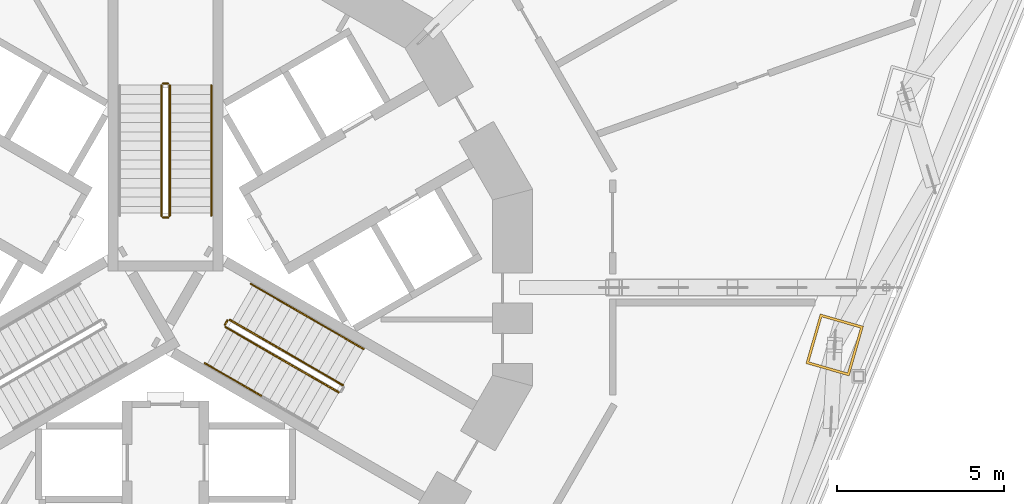
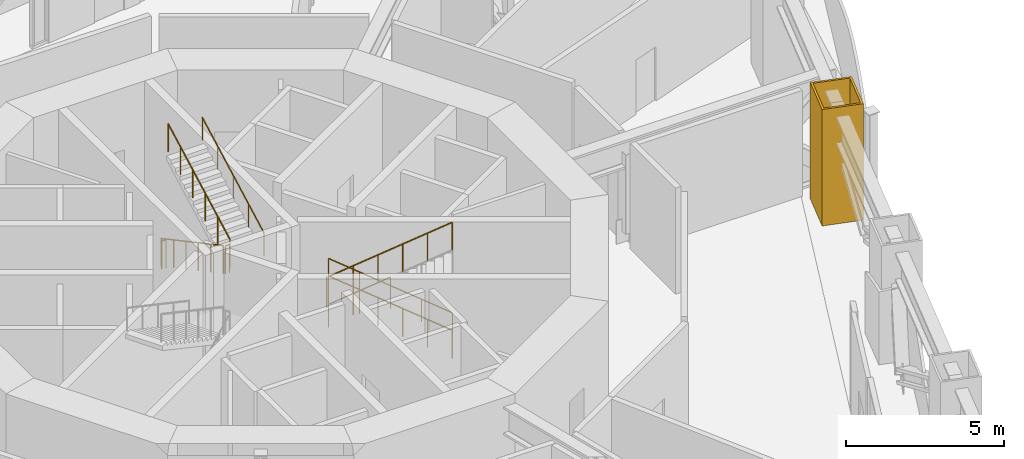
# One storey, part 30 of 31: 11 railings, 1 covering.
"""IFC4 building model written with IfcOpenShell, lengths in metres."""

from ifc_helpers import new_model, si_unit, direction, frame, origin, origin_2d, place, context, subcontext, project, spatial, polyline, circle, outline, extrude, material, layer, layer_set, type_object, element, save


model = new_model("IFC4")

# Units and contexts
model_context = context("Model", 3, precision=1e-05, world=origin(), true_north=direction((0.0, 1.0)))
body_context = subcontext(model_context, "Body", "Model", "MODEL_VIEW")
ifc_project = project(units=[si_unit("LENGTHUNIT", "METRE"), si_unit("AREAUNIT", "SQUARE_METRE"), si_unit("VOLUMEUNIT", "CUBIC_METRE"), si_unit("PLANEANGLEUNIT", "RADIAN"), si_unit("MASSUNIT", "GRAM", prefix="KILO")], contexts=[model_context])

# Site, building, storey
site_placement = place(None, origin())
site = spatial("IfcSite", under=ifc_project, at=site_placement, CompositionType="ELEMENT")
building_placement = place(site_placement, origin())
building = spatial("IfcBuilding", under=site, at=building_placement, Name="Trine Commons Tower", CompositionType="ELEMENT")
storey_placement = place(building_placement, frame((0.0, 0.0, 82.800048828125)))
storey = spatial("IfcBuildingStorey", under=building, at=storey_placement, Name="L20", CompositionType="ELEMENT", Elevation=82.800048828125)

# Covering
ifc_material_1 = material(Name="Limestone, honed", Category="masonry")
ifc_layer = layer(ifc_material_1, 0.074951171875)
ifc_layer_set = layer_set([ifc_layer], Name="Limestone, honed")
covering_type = type_object("IfcCoveringType", Name="Limestone column cladding 75", PredefinedType="CLADDING", material=ifc_layer_set)
covering_placement = place(storey_placement, origin())
element("IfcCovering", 1, at=covering_placement, inside=storey, type_object=covering_type, Name="Limestone pier cladding 3-20", PredefinedType="CLADDING", context=body_context, shape_type="SweptSolid", body=[
    extrude(outline(polyline([(100.934814453125, 61.33837890625), (99.63720703125, 61.71044921875), (99.209716796875, 60.220703125), (100.507568359375, 59.848388671875), (100.934814453125, 61.33837890625)]), holes=[polyline([(100.842041015625, 61.287109375), (99.6884765625, 61.617919921875), (99.302490234375, 60.27197265625), (100.4560546875, 59.941162109375), (100.842041015625, 61.287109375)])]), origin(), (0.0, 0.0, 1.0), 4.5),
])

# Railings
ifc_material_2 = material(Name="Stainless steel balustrade", Category="steel")
railing_type_1 = type_object("IfcRailingType", Name="Stair guard, steel balustrade 1100", PredefinedType="GUARDRAIL", material=ifc_material_2)
railing_1_placement = place(storey_placement, frame((79.875, 68.570556640625, 0.14990234375)))
element("IfcRailing", 2, at=railing_1_placement, inside=storey, type_object=railing_type_1, Name="L20 ST1A stair guard 1", PredefinedType="GUARDRAIL", context=body_context, shape_type="SweptSolid", body=[
    extrude(circle(Radius=0.02392578125, at=origin_2d()), frame((0.0, 0.0, 1.076171875), z_axis=(0.0, -0.881466911329, 0.472245787945), x_axis=(1.0, 0.0, 0.0)), (0.0, 0.0, 1.0), 4.447021484375),
    extrude(circle(Radius=0.02099609375, at=origin_2d()), origin(), (0.0, 0.0, 1.0), 1.052001953125),
    extrude(circle(Radius=0.02099609375, at=origin_2d()), frame((0.0, -0.783935546875, 0.419921875)), (0.0, 0.0, 1.0), 1.052001953125),
    extrude(circle(Radius=0.02099609375, at=origin_2d()), frame((0.0, -1.56787109375, 0.840087890625)), (0.0, 0.0, 1.0), 1.052001953125),
    extrude(circle(Radius=0.02099609375, at=origin_2d()), frame((0.0, -2.35205078125, 1.260009765625)), (0.0, 0.0, 1.0), 1.052001953125),
    extrude(circle(Radius=0.02099609375, at=origin_2d()), frame((0.0, -3.135986328125, 1.68017578125)), (0.0, 0.0, 1.0), 1.052001953125),
    extrude(circle(Radius=0.02099609375, at=origin_2d()), frame((0.0, -3.919921875, 2.10009765625)), (0.0, 0.0, 1.0), 1.052001953125),
])
railing_2_placement = place(storey_placement, frame((79.925048828125, 64.6005859375, 2.25)))
element("IfcRailing", 3, at=railing_2_placement, inside=storey, type_object=railing_type_1, Name="L20 ST1A stair guard 2", PredefinedType="GUARDRAIL", context=body_context, shape_type="SweptSolid", body=[
    extrude(circle(Radius=0.02392578125, at=origin_2d()), frame((0.0, 0.0, 1.076171875), z_axis=(1.0, 0.0, 0.0), x_axis=(0.0, 1.0, 0.0)), (0.0, 0.0, 1.0), 0.14990234375),
    extrude(circle(Radius=0.02099609375, at=origin_2d()), origin(), (0.0, 0.0, 1.0), 1.052001953125),
    extrude(circle(Radius=0.02099609375, at=origin_2d()), frame((0.14990234375, 0.0, 0.0)), (0.0, 0.0, 1.0), 1.052001953125),
])
railing_3_placement = place(storey_placement, frame((80.125, 64.650634765625, 2.39990234375)))
element("IfcRailing", 4, at=railing_3_placement, inside=storey, type_object=railing_type_1, Name="L20 ST1A stair guard 3", PredefinedType="GUARDRAIL", context=body_context, shape_type="SweptSolid", body=[
    extrude(circle(Radius=0.02392578125, at=origin_2d()), frame((0.0, 0.0, 1.076171875), z_axis=(0.0, 0.881466911329, 0.472245787945), x_axis=(-1.0, 0.0, 0.0)), (0.0, 0.0, 1.0), 4.447021484375),
    extrude(circle(Radius=0.02099609375, at=origin_2d()), origin(), (0.0, 0.0, 1.0), 1.052001953125),
    extrude(circle(Radius=0.02099609375, at=origin_2d()), frame((0.0, 0.783935546875, 0.419921875)), (0.0, 0.0, 1.0), 1.052001953125),
    extrude(circle(Radius=0.02099609375, at=origin_2d()), frame((0.0, 1.56787109375, 0.840087890625)), (0.0, 0.0, 1.0), 1.052001953125),
    extrude(circle(Radius=0.02099609375, at=origin_2d()), frame((0.0, 2.35205078125, 1.260009765625)), (0.0, 0.0, 1.0), 1.052001953125),
    extrude(circle(Radius=0.02099609375, at=origin_2d()), frame((0.0, 3.135986328125, 1.68017578125)), (0.0, 0.0, 1.0), 1.052001953125),
    extrude(circle(Radius=0.02099609375, at=origin_2d()), frame((0.0, 3.919921875, 2.10009765625)), (0.0, 0.0, 1.0), 1.052001953125),
])
railing_4_placement = place(storey_placement, frame((79.925048828125, 68.62060546875, 0.0)))
element("IfcRailing", 5, at=railing_4_placement, inside=storey, type_object=railing_type_1, Name="L20 ST1A stair guard 4", PredefinedType="GUARDRAIL", context=body_context, shape_type="SweptSolid", body=[
    extrude(circle(Radius=0.02392578125, at=origin_2d()), frame((0.0, 0.0, 1.076171875), z_axis=(1.0, 0.0, 0.0), x_axis=(0.0, 1.0, 0.0)), (0.0, 0.0, 1.0), 0.14990234375),
    extrude(circle(Radius=0.02099609375, at=origin_2d()), origin(), (0.0, 0.0, 1.0), 1.052001953125),
    extrude(circle(Radius=0.02099609375, at=origin_2d()), frame((0.14990234375, 0.0, 0.0)), (0.0, 0.0, 1.0), 1.052001953125),
])
railing_5_placement = place(storey_placement, frame((85.31982421875, 59.572998046875, 0.14990234375)))
element("IfcRailing", 6, at=railing_5_placement, inside=storey, type_object=railing_type_1, Name="L20 ST3A stair guard 1", PredefinedType="GUARDRAIL", context=body_context, shape_type="SweptSolid", body=[
    extrude(circle(Radius=0.02392578125, at=origin_2d()), frame((0.0, 0.0, 1.076171875), z_axis=(-0.763374939589, 0.440731680332, 0.472243885677), x_axis=(-0.499997407846, -0.86602690036, 0.0)), (0.0, 0.0, 1.0), 4.447021484375),
    extrude(circle(Radius=0.02099609375, at=origin_2d()), origin(), (0.0, 0.0, 1.0), 1.052001953125),
    extrude(circle(Radius=0.02099609375, at=origin_2d()), frame((-0.678955078125, 0.39208984375, 0.419921875)), (0.0, 0.0, 1.0), 1.052001953125),
    extrude(circle(Radius=0.02099609375, at=origin_2d()), frame((-1.35791015625, 0.783935546875, 0.840087890625)), (0.0, 0.0, 1.0), 1.052001953125),
    extrude(circle(Radius=0.02099609375, at=origin_2d()), frame((-2.036865234375, 1.176025390625, 1.260009765625)), (0.0, 0.0, 1.0), 1.052001953125),
    extrude(circle(Radius=0.02099609375, at=origin_2d()), frame((-2.7158203125, 1.56787109375, 1.68017578125)), (0.0, 0.0, 1.0), 1.052001953125),
    extrude(circle(Radius=0.02099609375, at=origin_2d()), frame((-3.394775390625, 1.9599609375, 2.10009765625)), (0.0, 0.0, 1.0), 1.052001953125),
])
railing_6_placement = place(storey_placement, frame((81.856689453125, 61.5146484375, 2.25)))
element("IfcRailing", 7, at=railing_6_placement, inside=storey, type_object=railing_type_1, Name="L20 ST3A stair guard 2", PredefinedType="GUARDRAIL", context=body_context, shape_type="SweptSolid", body=[
    extrude(circle(Radius=0.02392578125, at=origin_2d()), frame((0.0, 0.0, 1.076171875), z_axis=(-0.499816412211, -0.866131372301, 0.0), x_axis=(0.866131372301, -0.499816412211, 0.0)), (0.0, 0.0, 1.0), 0.14990234375),
    extrude(circle(Radius=0.02099609375, at=origin_2d()), origin(), (0.0, 0.0, 1.0), 1.052001953125),
    extrude(circle(Radius=0.02099609375, at=origin_2d()), frame((-0.074951171875, -0.1298828125, 0.0)), (0.0, 0.0, 1.0), 1.052001953125),
])
railing_7_placement = place(storey_placement, frame((81.800048828125, 61.31640625, 2.39990234375)))
element("IfcRailing", 8, at=railing_7_placement, inside=storey, type_object=railing_type_1, Name="L20 ST3A stair guard 3", PredefinedType="GUARDRAIL", context=body_context, shape_type="SweptSolid", body=[
    extrude(circle(Radius=0.02392578125, at=origin_2d()), frame((0.0, 0.0, 1.076171875), z_axis=(0.763374939589, -0.440731680332, 0.472243885677), x_axis=(0.499997407846, 0.86602690036, 0.0)), (0.0, 0.0, 1.0), 4.447021484375),
    extrude(circle(Radius=0.02099609375, at=origin_2d()), origin(), (0.0, 0.0, 1.0), 1.052001953125),
    extrude(circle(Radius=0.02099609375, at=origin_2d()), frame((0.678955078125, -0.39208984375, 0.419921875)), (0.0, 0.0, 1.0), 1.052001953125),
    extrude(circle(Radius=0.02099609375, at=origin_2d()), frame((1.35791015625, -0.783935546875, 0.840087890625)), (0.0, 0.0, 1.0), 1.052001953125),
    extrude(circle(Radius=0.02099609375, at=origin_2d()), frame((2.036865234375, -1.176025390625, 1.260009765625)), (0.0, 0.0, 1.0), 1.052001953125),
    extrude(circle(Radius=0.02099609375, at=origin_2d()), frame((2.7158203125, -1.56787109375, 1.68017578125)), (0.0, 0.0, 1.0), 1.052001953125),
    extrude(circle(Radius=0.02099609375, at=origin_2d()), frame((3.394775390625, -1.9599609375, 2.10009765625)), (0.0, 0.0, 1.0), 1.052001953125),
])
ifc_material_3 = material(Name="Stainless steel handrail", Category="steel")
railing_type_2 = type_object("IfcRailingType", Name="Stair handrail, steel 900", PredefinedType="HANDRAIL", material=ifc_material_3)
railing_8_placement = place(storey_placement, frame((81.375, 64.650634765625, 2.39990234375)))
element("IfcRailing", 9, at=railing_8_placement, inside=storey, type_object=railing_type_2, Name="L20 ST1A stair handrail 2", PredefinedType="HANDRAIL", context=body_context, shape_type="SweptSolid", body=[
    extrude(circle(Radius=0.02099609375, at=origin_2d()), frame((0.0, 0.0, 0.87890625), z_axis=(0.0, 0.881466911329, 0.472245787945), x_axis=(-1.0, 0.0, 0.0)), (0.0, 0.0, 1.0), 4.447021484375),
    extrude(circle(Radius=0.01513671875, at=origin_2d()), origin(), (0.0, 0.0, 1.0), 0.85791015625),
    extrude(circle(Radius=0.01513671875, at=origin_2d()), frame((0.0, 0.97998046875, 0.52490234375)), (0.0, 0.0, 1.0), 0.85791015625),
    extrude(circle(Radius=0.01513671875, at=origin_2d()), frame((0.0, 1.9599609375, 1.050048828125)), (0.0, 0.0, 1.0), 0.85791015625),
    extrude(circle(Radius=0.01513671875, at=origin_2d()), frame((0.0, 2.93994140625, 1.5751953125)), (0.0, 0.0, 1.0), 0.85791015625),
    extrude(circle(Radius=0.01513671875, at=origin_2d()), frame((0.0, 3.919921875, 2.10009765625)), (0.0, 0.0, 1.0), 0.85791015625),
])
railing_9_placement = place(storey_placement, frame((85.94482421875, 60.655517578125, 0.14990234375)))
element("IfcRailing", 10, at=railing_9_placement, inside=storey, type_object=railing_type_2, Name="L20 ST3A stair handrail 1", PredefinedType="HANDRAIL", context=body_context, shape_type="SweptSolid", body=[
    extrude(circle(Radius=0.02099609375, at=origin_2d()), frame((0.0, 0.0, 0.87890625), z_axis=(-0.763397845365, 0.440713210311, 0.472224095054), x_axis=(-0.499970440388, -0.866042469362, 0.0)), (0.0, 0.0, 1.0), 2.2236328125),
    extrude(circle(Radius=0.01513671875, at=origin_2d()), origin(), (0.0, 0.0, 1.0), 0.85791015625),
    extrude(circle(Radius=0.01513671875, at=origin_2d()), frame((-0.8486328125, 0.489990234375, 0.52490234375)), (0.0, 0.0, 1.0), 0.85791015625),
    extrude(circle(Radius=0.01513671875, at=origin_2d()), frame((-1.697509765625, 0.97998046875, 1.050048828125)), (0.0, 0.0, 1.0), 0.85791015625),
])
railing_10_placement = place(storey_placement, frame((84.247314453125, 61.635498046875, 1.199951171875)))
element("IfcRailing", 11, at=railing_10_placement, inside=storey, type_object=railing_type_2, Name="L20 ST3A stair handrail 2", PredefinedType="HANDRAIL", context=body_context, shape_type="SweptSolid", body=[
    extrude(circle(Radius=0.02099609375, at=origin_2d()), frame((0.0, 0.0, 0.87890625), z_axis=(-0.763352030933, 0.440750151347, 0.472263677365), x_axis=(-0.500024377727, -0.866011328839, 0.0)), (0.0, 0.0, 1.0), 2.223388671875),
    extrude(circle(Radius=0.01513671875, at=origin_2d()), origin(), (0.0, 0.0, 1.0), 0.85791015625),
    extrude(circle(Radius=0.01513671875, at=origin_2d()), frame((-0.8486328125, 0.489990234375, 0.52490234375)), (0.0, 0.0, 1.0), 0.85791015625),
    extrude(circle(Radius=0.01513671875, at=origin_2d()), frame((-1.697265625, 0.97998046875, 1.050048828125)), (0.0, 0.0, 1.0), 0.85791015625),
])
railing_11_placement = place(storey_placement, frame((81.175048828125, 60.23388671875, 2.39990234375)))
element("IfcRailing", 12, at=railing_11_placement, inside=storey, type_object=railing_type_2, Name="L20 ST3A stair handrail 3", PredefinedType="HANDRAIL", context=body_context, shape_type="SweptSolid", body=[
    extrude(circle(Radius=0.02099609375, at=origin_2d()), frame((0.0, 0.0, 0.87890625), z_axis=(0.763352030933, -0.440750151347, 0.472263677365), x_axis=(0.500024377727, 0.866011328839, 0.0)), (0.0, 0.0, 1.0), 2.223388671875),
    extrude(circle(Radius=0.01513671875, at=origin_2d()), origin(), (0.0, 0.0, 1.0), 0.85791015625),
    extrude(circle(Radius=0.01513671875, at=origin_2d()), frame((0.8486328125, -0.489990234375, 0.52490234375)), (0.0, 0.0, 1.0), 0.85791015625),
    extrude(circle(Radius=0.01513671875, at=origin_2d()), frame((1.697265625, -0.97998046875, 1.050048828125)), (0.0, 0.0, 1.0), 0.85791015625),
])

save(model, "model.ifc")
